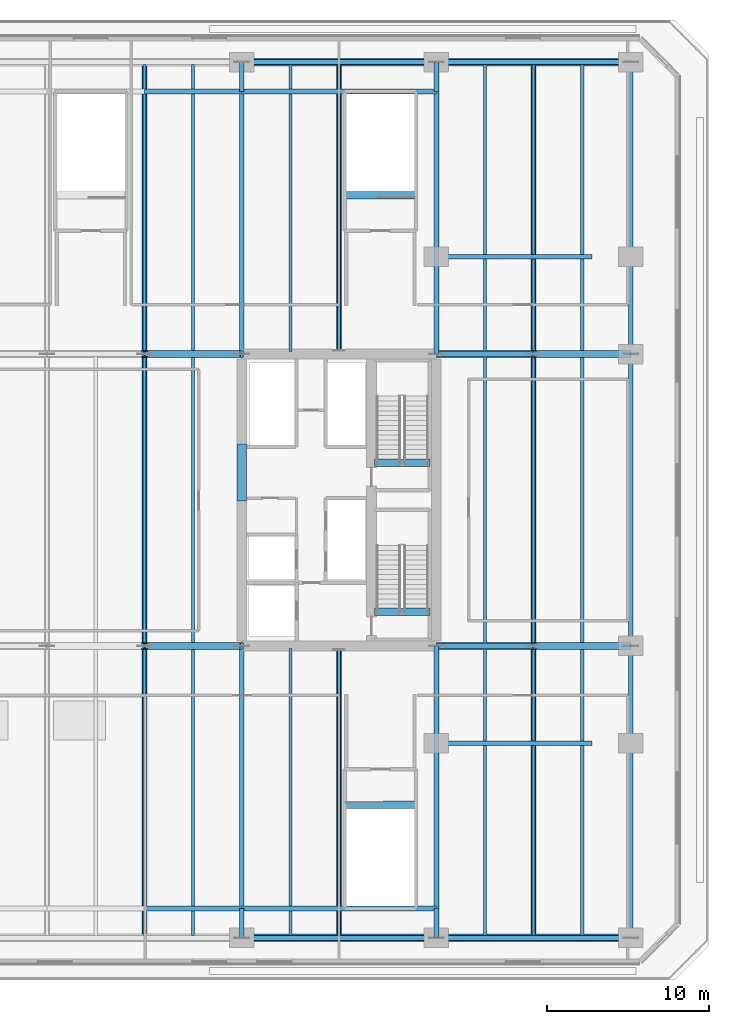
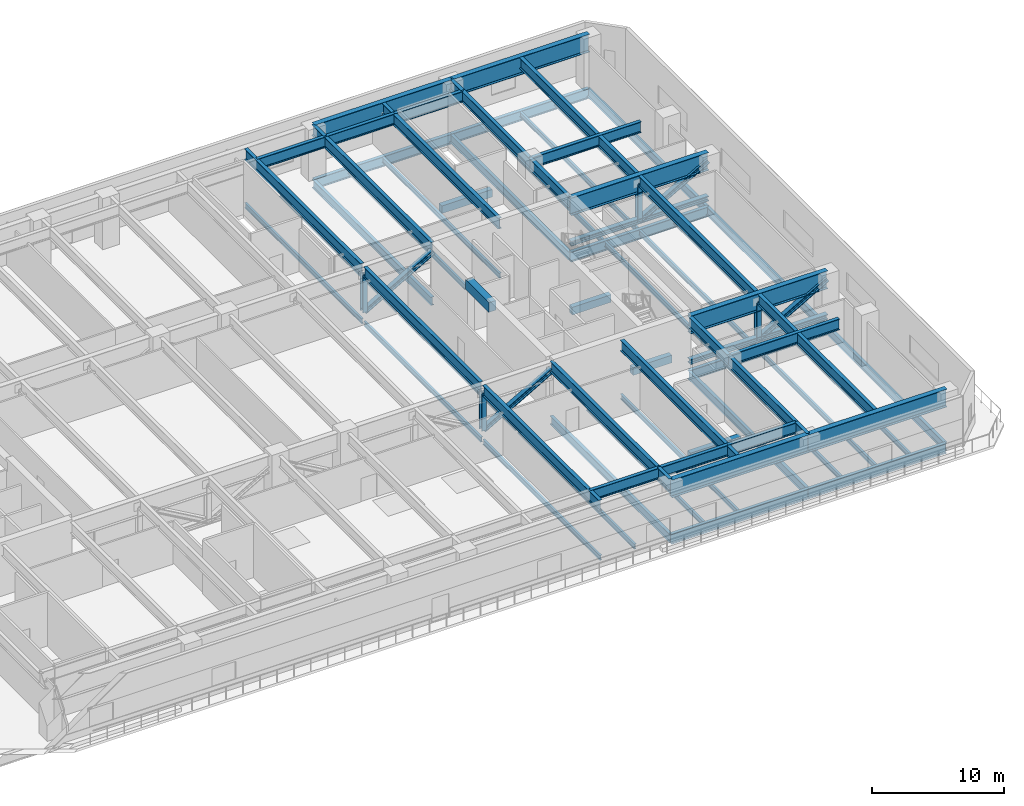
# One storey, part 4 of 25: 69 beams, 10 members.
"""IFC4 building model written with IfcOpenShell, lengths in metres."""

from ifc_helpers import new_model, si_unit, direction, frame, origin, origin_2d, place, context, subcontext, project, spatial, rectangle, i_section, extrude, material, material_profile, profile_set, type_object, element, save


model = new_model("IFC4")

# Units and contexts
model_context = context("Model", 3, precision=1e-05, world=origin(), true_north=direction((0.0, 1.0)))
body_context = subcontext(model_context, "Body", "Model", "MODEL_VIEW")
ifc_project = project(units=[si_unit("LENGTHUNIT", "METRE"), si_unit("AREAUNIT", "SQUARE_METRE"), si_unit("VOLUMEUNIT", "CUBIC_METRE"), si_unit("PLANEANGLEUNIT", "RADIAN"), si_unit("MASSUNIT", "GRAM", prefix="KILO")], contexts=[model_context])

# Site, building, storey
site_placement = place(None, origin())
site = spatial("IfcSite", under=ifc_project, at=site_placement, CompositionType="ELEMENT")
building_placement = place(site_placement, origin())
building = spatial("IfcBuilding", under=site, at=building_placement, Name="Tanjung Sevakor Pilgrim Tower", CompositionType="ELEMENT")
storey_placement = place(building_placement, frame((0.0, 0.0, 24.090087890625)))
storey = spatial("IfcBuildingStorey", under=building, at=storey_placement, Name="L06", CompositionType="ELEMENT", Elevation=24.090087890625)

# Beams
ifc_material_1 = material(Name="Steel S355J2", Category="steel")
ifc_material_profile_1 = material_profile(ifc_material_1, i_section(OverallWidth=0.26806640625, OverallDepth=0.769775390625, WebThickness=0.015625, FlangeThickness=0.025390625, FilletRadius=0.0166015625, at=origin_2d()))
ifc_profile_set_1 = profile_set([ifc_material_profile_1], Name="Steel S355J2")
beam_type_1 = type_object("IfcBeamType", Name="BM-B-G1-UB_762x267x197", PredefinedType="BEAM", material=ifc_profile_set_1)
for number, where, z_axis, x_axis, name in (
    (1, (78.0, 6.60009765625, -0.735107421875), (0.0, 1.0, 0.0), (-1.0, 0.0, 0.0), "L06 Podium Girder NS X78-1"),
    (2, (78.0, 42.60009765625, -0.735107421875), (0.0, 1.0, 0.0), (-1.0, 0.0, 0.0), "L06 Podium Girder NS X78-2"),
    (3, (90.0, 6.60009765625, -0.735107421875), (0.0, 1.0, 0.0), (-1.0, 0.0, 0.0), "L06 Podium Girder NS X90-1"),
    (4, (90.0, 42.60009765625, -0.735107421875), (0.0, 1.0, 0.0), (-1.0, 0.0, 0.0), "L06 Podium Girder NS X90-2"),
    (5, (102.0, 6.60009765625, -0.735107421875), (0.0, 1.0, 0.0), (-1.0, 0.0, 0.0), "L06 Podium Girder NS X102-1"),
    (6, (102.0, 24.60009765625, -0.735107421875), (0.0, 1.0, 0.0), (-1.0, 0.0, 0.0), "L06 Podium Girder NS X102-2"),
    (7, (102.0, 42.60009765625, -0.735107421875), (0.0, 1.0, 0.0), (-1.0, 0.0, 0.0), "L06 Podium Girder NS X102-3"),
):
    element("IfcBeam", number, at=place(storey_placement, frame(where, z_axis=z_axis, x_axis=x_axis)), inside=storey, type_object=beam_type_1, Name=name, PredefinedType="BEAM", context=body_context, shape_type="SweptSolid", body=[
        extrude(i_section(OverallWidth=0.26806640625, OverallDepth=0.769775390625, WebThickness=0.015625, FlangeThickness=0.025390625, FilletRadius=0.0166015625, at=origin_2d()), origin(), (0.0, 0.0, 1.0), 18.0),
    ])
ifc_material_2 = material(Name="Steel S460M", Category="steel")
ifc_material_profile_2 = material_profile(ifc_material_2, i_section(OverallWidth=0.302001953125, OverallDepth=1.008056640625, WebThickness=0.02099609375, FlangeThickness=0.0400390625, FilletRadius=0.030029296875, at=origin_2d()))
ifc_profile_set_2 = profile_set([ifc_material_profile_2], Name="Steel S460M")
beam_type_2 = type_object("IfcBeamType", Name="BM-B-G7-HE_1000M", PredefinedType="BEAM", material=ifc_profile_set_2)
for number, where, z_axis, x_axis, name in (
    (8, (72.0, 6.824951171875, 4.205810546875), (0.0, 1.0, 0.0), (-1.0, 0.0, 0.0), "TC-2 L06 Transfer Truss Chord NS X72.0-1"),
    (9, (72.0, 24.824951171875, 4.205810546875), (0.0, 1.0, 0.0), (-1.0, 0.0, 0.0), "TC-2 L06 Transfer Truss Chord NS X72.0-2"),
    (10, (72.0, 42.824951171875, 4.205810546875), (0.0, 1.0, 0.0), (-1.0, 0.0, 0.0), "TC-2 L06 Transfer Truss Chord NS X72.0-3"),
):
    element("IfcBeam", number, at=place(storey_placement, frame(where, z_axis=z_axis, x_axis=x_axis)), inside=storey, type_object=beam_type_2, Name=name, PredefinedType="BEAM", context=body_context, shape_type="SweptSolid", body=[
        extrude(i_section(OverallWidth=0.302001953125, OverallDepth=1.008056640625, WebThickness=0.02099609375, FlangeThickness=0.0400390625, FilletRadius=0.030029296875, at=origin_2d()), origin(), (0.0, 0.0, 1.0), 17.550048828125),
    ])
beam_1_placement = place(storey_placement, frame((78.0, 6.60009765625, 4.205810546875), z_axis=(0.0, 1.0, 0.0), x_axis=(-1.0, 0.0, 0.0)))
element("IfcBeam", 11, at=beam_1_placement, inside=storey, type_object=beam_type_2, Name="TC-2 L06 Transfer Truss Chord NS X78.0-1", PredefinedType="BEAM", context=body_context, shape_type="SweptSolid", body=[
    extrude(i_section(OverallWidth=0.302001953125, OverallDepth=1.008056640625, WebThickness=0.02099609375, FlangeThickness=0.0400390625, FilletRadius=0.030029296875, at=origin_2d()), origin(), (0.0, 0.0, 1.0), 1.7998046875),
])
beam_2_placement = place(storey_placement, frame((78.0, 8.39990234375, 4.205810546875), z_axis=(0.0, 1.0, 0.0), x_axis=(-1.0, 0.0, 0.0)))
element("IfcBeam", 12, at=beam_2_placement, inside=storey, type_object=beam_type_2, Name="TC-2 L06 Transfer Truss Chord NS X78.0-2", PredefinedType="BEAM", context=body_context, shape_type="SweptSolid", body=[
    extrude(i_section(OverallWidth=0.302001953125, OverallDepth=1.008056640625, WebThickness=0.02099609375, FlangeThickness=0.0400390625, FilletRadius=0.030029296875, at=origin_2d()), origin(), (0.0, 0.0, 1.0), 16.2001953125),
])
beam_3_placement = place(storey_placement, frame((78.0, 42.60009765625, 4.205810546875), z_axis=(0.0, 1.0, 0.0), x_axis=(-1.0, 0.0, 0.0)))
element("IfcBeam", 13, at=beam_3_placement, inside=storey, type_object=beam_type_2, Name="TC-2 L06 Transfer Truss Chord NS X78.0-3", PredefinedType="BEAM", context=body_context, shape_type="SweptSolid", body=[
    extrude(i_section(OverallWidth=0.302001953125, OverallDepth=1.008056640625, WebThickness=0.02099609375, FlangeThickness=0.0400390625, FilletRadius=0.030029296875, at=origin_2d()), origin(), (0.0, 0.0, 1.0), 16.199951171875),
])
beam_4_placement = place(storey_placement, frame((78.0, 58.800048828125, 4.205810546875), z_axis=(0.0, 1.0, 0.0), x_axis=(-1.0, 0.0, 0.0)))
element("IfcBeam", 14, at=beam_4_placement, inside=storey, type_object=beam_type_2, Name="TC-2 L06 Transfer Truss Chord NS X78.0-4", PredefinedType="BEAM", context=body_context, shape_type="SweptSolid", body=[
    extrude(i_section(OverallWidth=0.302001953125, OverallDepth=1.008056640625, WebThickness=0.02099609375, FlangeThickness=0.0400390625, FilletRadius=0.030029296875, at=origin_2d()), origin(), (0.0, 0.0, 1.0), 1.800048828125),
])
for number, where, z_axis, x_axis, name in (
    (15, (84.0, 6.824951171875, 4.205810546875), (0.0, 1.0, 0.0), (-1.0, 0.0, 0.0), "TC-2 L06 Transfer Truss Chord NS X84.0-1"),
    (16, (84.0, 42.824951171875, 4.205810546875), (0.0, 1.0, 0.0), (-1.0, 0.0, 0.0), "TC-2 L06 Transfer Truss Chord NS X84.0-2"),
):
    element("IfcBeam", number, at=place(storey_placement, frame(where, z_axis=z_axis, x_axis=x_axis)), inside=storey, type_object=beam_type_2, Name=name, PredefinedType="BEAM", context=body_context, shape_type="SweptSolid", body=[
        extrude(i_section(OverallWidth=0.302001953125, OverallDepth=1.008056640625, WebThickness=0.02099609375, FlangeThickness=0.0400390625, FilletRadius=0.030029296875, at=origin_2d()), origin(), (0.0, 0.0, 1.0), 17.550048828125),
    ])
beam_5_placement = place(storey_placement, frame((90.0, 6.60009765625, 4.205810546875), z_axis=(0.0, 1.0, 0.0), x_axis=(-1.0, 0.0, 0.0)))
element("IfcBeam", 17, at=beam_5_placement, inside=storey, type_object=beam_type_2, Name="TC-2 L06 Transfer Truss Chord NS X90.0-1", PredefinedType="BEAM", context=body_context, shape_type="SweptSolid", body=[
    extrude(i_section(OverallWidth=0.302001953125, OverallDepth=1.008056640625, WebThickness=0.02099609375, FlangeThickness=0.0400390625, FilletRadius=0.030029296875, at=origin_2d()), origin(), (0.0, 0.0, 1.0), 1.7998046875),
])
beam_6_placement = place(storey_placement, frame((90.0, 8.39990234375, 4.205810546875), z_axis=(0.0, 1.0, 0.0), x_axis=(-1.0, 0.0, 0.0)))
element("IfcBeam", 18, at=beam_6_placement, inside=storey, type_object=beam_type_2, Name="TC-2 L06 Transfer Truss Chord NS X90.0-2", PredefinedType="BEAM", context=body_context, shape_type="SweptSolid", body=[
    extrude(i_section(OverallWidth=0.302001953125, OverallDepth=1.008056640625, WebThickness=0.02099609375, FlangeThickness=0.0400390625, FilletRadius=0.030029296875, at=origin_2d()), origin(), (0.0, 0.0, 1.0), 10.2001953125),
])
for number, where, z_axis, x_axis, name in (
    (19, (90.0, 18.60009765625, 4.205810546875), (0.0, 1.0, 0.0), (-1.0, 0.0, 0.0), "TC-2 L06 Transfer Truss Chord NS X90.0-3"),
    (20, (90.0, 42.60009765625, 4.205810546875), (0.0, 1.0, 0.0), (-1.0, 0.0, 0.0), "TC-2 L06 Transfer Truss Chord NS X90.0-4"),
):
    element("IfcBeam", number, at=place(storey_placement, frame(where, z_axis=z_axis, x_axis=x_axis)), inside=storey, type_object=beam_type_2, Name=name, PredefinedType="BEAM", context=body_context, shape_type="SweptSolid", body=[
        extrude(i_section(OverallWidth=0.302001953125, OverallDepth=1.008056640625, WebThickness=0.02099609375, FlangeThickness=0.0400390625, FilletRadius=0.030029296875, at=origin_2d()), origin(), (0.0, 0.0, 1.0), 6.0),
    ])
beam_7_placement = place(storey_placement, frame((90.0, 48.60009765625, 4.205810546875), z_axis=(0.0, 1.0, 0.0), x_axis=(-1.0, 0.0, 0.0)))
element("IfcBeam", 21, at=beam_7_placement, inside=storey, type_object=beam_type_2, Name="TC-2 L06 Transfer Truss Chord NS X90.0-5", PredefinedType="BEAM", context=body_context, shape_type="SweptSolid", body=[
    extrude(i_section(OverallWidth=0.302001953125, OverallDepth=1.008056640625, WebThickness=0.02099609375, FlangeThickness=0.0400390625, FilletRadius=0.030029296875, at=origin_2d()), origin(), (0.0, 0.0, 1.0), 10.199951171875),
])
beam_8_placement = place(storey_placement, frame((90.0, 58.800048828125, 4.205810546875), z_axis=(0.0, 1.0, 0.0), x_axis=(-1.0, 0.0, 0.0)))
element("IfcBeam", 22, at=beam_8_placement, inside=storey, type_object=beam_type_2, Name="TC-2 L06 Transfer Truss Chord NS X90.0-6", PredefinedType="BEAM", context=body_context, shape_type="SweptSolid", body=[
    extrude(i_section(OverallWidth=0.302001953125, OverallDepth=1.008056640625, WebThickness=0.02099609375, FlangeThickness=0.0400390625, FilletRadius=0.030029296875, at=origin_2d()), origin(), (0.0, 0.0, 1.0), 1.800048828125),
])
for number, where, z_axis, x_axis, name in (
    (23, (96.0, 6.824951171875, 4.205810546875), (0.0, 1.0, 0.0), (-1.0, 0.0, 0.0), "TC-2 L06 Transfer Truss Chord NS X96.0-1"),
    (24, (96.0, 24.824951171875, 4.205810546875), (0.0, 1.0, 0.0), (-1.0, 0.0, 0.0), "TC-2 L06 Transfer Truss Chord NS X96.0-2"),
    (25, (96.0, 42.824951171875, 4.205810546875), (0.0, 1.0, 0.0), (-1.0, 0.0, 0.0), "TC-2 L06 Transfer Truss Chord NS X96.0-3"),
):
    element("IfcBeam", number, at=place(storey_placement, frame(where, z_axis=z_axis, x_axis=x_axis)), inside=storey, type_object=beam_type_2, Name=name, PredefinedType="BEAM", context=body_context, shape_type="SweptSolid", body=[
        extrude(i_section(OverallWidth=0.302001953125, OverallDepth=1.008056640625, WebThickness=0.02099609375, FlangeThickness=0.0400390625, FilletRadius=0.030029296875, at=origin_2d()), origin(), (0.0, 0.0, 1.0), 17.550048828125),
    ])
for number, where, z_axis, x_axis, name in (
    (26, (90.0, 18.60009765625, 4.205810546875), (1.0, 0.0, 0.0), (0.0, 1.0, 0.0), "TC-1 L06 Short-End Transfer Girder Y18.6-2"),
    (27, (90.0, 48.60009765625, 4.205810546875), (1.0, 0.0, 0.0), (0.0, 1.0, 0.0), "TC-1 L06 Short-End Transfer Girder Y48.6-2"),
):
    element("IfcBeam", number, at=place(storey_placement, frame(where, z_axis=z_axis, x_axis=x_axis)), inside=storey, type_object=beam_type_2, Name=name, PredefinedType="BEAM", context=body_context, shape_type="SweptSolid", body=[
        extrude(i_section(OverallWidth=0.302001953125, OverallDepth=1.008056640625, WebThickness=0.02099609375, FlangeThickness=0.0400390625, FilletRadius=0.030029296875, at=origin_2d()), origin(), (0.0, 0.0, 1.0), 9.60009765625),
    ])
for number, where, z_axis, x_axis, name in (
    (28, (72.0, 8.39990234375, 4.205810546875), (1.0, 0.0, 0.0), (0.0, 1.0, 0.0), "TC-3 L06 Transfer Truss Ring Chord Y8.4-08"),
    (29, (78.0, 8.39990234375, 4.205810546875), (1.0, 0.0, 0.0), (0.0, 1.0, 0.0), "TC-3 L06 Transfer Truss Ring Chord Y8.4-09"),
    (30, (84.0, 8.39990234375, 4.205810546875), (1.0, 0.0, 0.0), (0.0, 1.0, 0.0), "TC-3 L06 Transfer Truss Ring Chord Y8.4-10"),
    (31, (72.0, 58.800048828125, 4.205810546875), (1.0, 0.0, 0.0), (0.0, 1.0, 0.0), "TC-3 L06 Transfer Truss Ring Chord Y58.8-08"),
    (32, (78.0, 58.800048828125, 4.205810546875), (1.0, 0.0, 0.0), (0.0, 1.0, 0.0), "TC-3 L06 Transfer Truss Ring Chord Y58.8-09"),
    (33, (84.0, 58.800048828125, 4.205810546875), (1.0, 0.0, 0.0), (0.0, 1.0, 0.0), "TC-3 L06 Transfer Truss Ring Chord Y58.8-10"),
):
    element("IfcBeam", number, at=place(storey_placement, frame(where, z_axis=z_axis, x_axis=x_axis)), inside=storey, type_object=beam_type_2, Name=name, PredefinedType="BEAM", context=body_context, shape_type="SweptSolid", body=[
        extrude(i_section(OverallWidth=0.302001953125, OverallDepth=1.008056640625, WebThickness=0.02099609375, FlangeThickness=0.0400390625, FilletRadius=0.030029296875, at=origin_2d()), origin(), (0.0, 0.0, 1.0), 6.0),
    ])
ifc_material_3 = material(Name="Steel S355J2", Category="steel")
ifc_material_profile_3 = material_profile(ifc_material_3, i_section(OverallWidth=0.19140625, OverallDepth=0.4599609375, WebThickness=0.010009765625, FlangeThickness=0.01611328125, FilletRadius=0.01025390625, at=origin_2d()))
ifc_profile_set_3 = profile_set([ifc_material_profile_3], Name="Steel S355J2")
beam_type_3 = type_object("IfcBeamType", Name="BM-B-J2-UB_457x191x82", PredefinedType="JOIST", material=ifc_profile_set_3)
for number, where, z_axis, x_axis, name in (
    (34, (72.0, 6.752685546875, -0.580078125), (0.0, 1.0, 0.0), (-1.0, 0.0, 0.0), "L06 Secondary Joist 039"),
    (35, (72.0, 24.752685546875, -0.580078125), (0.0, 1.0, 0.0), (-1.0, 0.0, 0.0), "L06 Secondary Joist 040"),
    (36, (72.0, 42.752685546875, -0.580078125), (0.0, 1.0, 0.0), (-1.0, 0.0, 0.0), "L06 Secondary Joist 041"),
    (37, (75.0, 6.752685546875, -0.580078125), (0.0, 1.0, 0.0), (-1.0, 0.0, 0.0), "L06 Secondary Joist 042"),
    (38, (75.0, 24.752685546875, -0.580078125), (0.0, 1.0, 0.0), (-1.0, 0.0, 0.0), "L06 Secondary Joist 043"),
    (39, (75.0, 42.752685546875, -0.580078125), (0.0, 1.0, 0.0), (-1.0, 0.0, 0.0), "L06 Secondary Joist 044"),
    (40, (81.0, 6.752685546875, -0.580078125), (0.0, 1.0, 0.0), (-1.0, 0.0, 0.0), "L06 Secondary Joist 045"),
    (41, (81.0, 42.752685546875, -0.580078125), (0.0, 1.0, 0.0), (-1.0, 0.0, 0.0), "L06 Secondary Joist 046"),
    (42, (84.0, 6.752685546875, -0.580078125), (0.0, 1.0, 0.0), (-1.0, 0.0, 0.0), "L06 Secondary Joist 047"),
    (43, (84.0, 42.752685546875, -0.580078125), (0.0, 1.0, 0.0), (-1.0, 0.0, 0.0), "L06 Secondary Joist 048"),
    (44, (93.0, 6.752685546875, -0.580078125), (0.0, 1.0, 0.0), (-1.0, 0.0, 0.0), "L06 Secondary Joist 049"),
    (45, (93.0, 24.752685546875, -0.580078125), (0.0, 1.0, 0.0), (-1.0, 0.0, 0.0), "L06 Secondary Joist 050"),
    (46, (93.0, 42.752685546875, -0.580078125), (0.0, 1.0, 0.0), (-1.0, 0.0, 0.0), "L06 Secondary Joist 051"),
    (47, (96.0, 6.752685546875, -0.580078125), (0.0, 1.0, 0.0), (-1.0, 0.0, 0.0), "L06 Secondary Joist 052"),
    (48, (96.0, 24.752685546875, -0.580078125), (0.0, 1.0, 0.0), (-1.0, 0.0, 0.0), "L06 Secondary Joist 053"),
    (49, (96.0, 42.752685546875, -0.580078125), (0.0, 1.0, 0.0), (-1.0, 0.0, 0.0), "L06 Secondary Joist 054"),
    (50, (99.0, 6.752685546875, -0.580078125), (0.0, 1.0, 0.0), (-1.0, 0.0, 0.0), "L06 Secondary Joist 055"),
    (51, (99.0, 24.752685546875, -0.580078125), (0.0, 1.0, 0.0), (-1.0, 0.0, 0.0), "L06 Secondary Joist 056"),
    (52, (99.0, 42.752685546875, -0.580078125), (0.0, 1.0, 0.0), (-1.0, 0.0, 0.0), "L06 Secondary Joist 057"),
):
    element("IfcBeam", number, at=place(storey_placement, frame(where, z_axis=z_axis, x_axis=x_axis)), inside=storey, type_object=beam_type_3, Name=name, PredefinedType="JOIST", context=body_context, shape_type="SweptSolid", body=[
        extrude(i_section(OverallWidth=0.19140625, OverallDepth=0.4599609375, WebThickness=0.010009765625, FlangeThickness=0.01611328125, FilletRadius=0.01025390625, at=origin_2d()), origin(), (0.0, 0.0, 1.0), 17.694580078125),
    ])
ifc_material_4 = material(Name="Concrete C60/75", Category="concrete")
ifc_material_profile_4 = material_profile(ifc_material_4, rectangle(XDim=0.60009765625, YDim=0.89990234375, at=origin_2d()))
ifc_profile_set_4 = profile_set([ifc_material_profile_4], Name="Concrete C60/75")
beam_type_4 = type_object("IfcBeamType", Name="BM-B-LN1-RC-BM_600x900", PredefinedType="LINTEL", material=ifc_profile_set_4)
beam_9_placement = place(storey_placement, frame((78.0, 33.550048828125, 4.260009765625), z_axis=(0.0, 1.0, 0.0), x_axis=(-1.0, 0.0, 0.0)))
element("IfcBeam", 53, at=beam_9_placement, inside=storey, type_object=beam_type_4, Name="L06 E Core Coupling Lintel", PredefinedType="LINTEL", context=body_context, shape_type="SweptSolid", body=[
    extrude(rectangle(XDim=0.60009765625, YDim=0.89990234375, at=origin_2d()), origin(), (0.0, 0.0, 1.0), 3.5),
])
ifc_material_5 = material(Name="Concrete C60/75", Category="concrete")
ifc_material_profile_5 = material_profile(ifc_material_5, rectangle(XDim=0.449951171875, YDim=0.699951171875, at=origin_2d()))
ifc_profile_set_5 = profile_set([ifc_material_profile_5], Name="Concrete C60/75")
beam_type_5 = type_object("IfcBeamType", Name="BM-B-LN3-RC-BM_450x700", PredefinedType="LINTEL", material=ifc_profile_set_5)
for number, where, z_axis, x_axis, name in (
    (54, (86.199951171875, 26.699951171875, -0.35009765625), (1.0, 0.0, 0.0), (0.0, 1.0, 0.0), "L06 TS-E1 Stair Threshold Beam"),
    (55, (86.199951171875, 35.89990234375, -0.35009765625), (1.0, 0.0, 0.0), (0.0, 1.0, 0.0), "L06 TS-E2 Stair Threshold Beam"),
):
    element("IfcBeam", number, at=place(storey_placement, frame(where, z_axis=z_axis, x_axis=x_axis)), inside=storey, type_object=beam_type_5, Name=name, PredefinedType="LINTEL", context=body_context, shape_type="SweptSolid", body=[
        extrude(rectangle(XDim=0.449951171875, YDim=0.699951171875, at=origin_2d()), origin(), (0.0, 0.0, 1.0), 3.400146484375),
    ])
for number, where, z_axis, x_axis, name in (
    (56, (84.35009765625, 14.800048828125, -0.35009765625), (1.0, 0.0, 0.0), (0.0, 1.0, 0.0), "L06 PS-5 Stair Threshold Beam"),
    (57, (84.35009765625, 52.39990234375, -0.35009765625), (1.0, 0.0, 0.0), (0.0, 1.0, 0.0), "L06 PS-6 Stair Threshold Beam"),
):
    element("IfcBeam", number, at=place(storey_placement, frame(where, z_axis=z_axis, x_axis=x_axis)), inside=storey, type_object=beam_type_5, Name=name, PredefinedType="LINTEL", context=body_context, shape_type="SweptSolid", body=[
        extrude(rectangle(XDim=0.449951171875, YDim=0.699951171875, at=origin_2d()), origin(), (0.0, 0.0, 1.0), 4.39990234375),
    ])
ifc_material_6 = material(Name="Steel S355J2", Category="steel")
ifc_material_profile_6 = material_profile(ifc_material_6, i_section(OverallWidth=0.305419921875, OverallDepth=0.91845703125, WebThickness=0.017333984375, FlangeThickness=0.02783203125, FilletRadius=0.01904296875, at=origin_2d()))
ifc_profile_set_6 = profile_set([ifc_material_profile_6], Name="Steel S355J2")
beam_type_6 = type_object("IfcBeamType", Name="BM-B-POD2-UB_914x305x253", PredefinedType="BEAM", material=ifc_profile_set_6)
for number, where, z_axis, x_axis, name in (
    (58, (78.0, 6.60009765625, -0.809326171875), (1.0, 0.0, 0.0), (0.0, 1.0, 0.0), "L06 Podium Girder EW Y6.6-6"),
    (59, (90.0, 6.60009765625, -0.809326171875), (1.0, 0.0, 0.0), (0.0, 1.0, 0.0), "L06 Podium Girder EW Y6.6-7"),
    (60, (90.0, 24.60009765625, -0.809326171875), (1.0, 0.0, 0.0), (0.0, 1.0, 0.0), "L06 Podium Girder EW Y24.6-5"),
    (61, (90.0, 42.60009765625, -0.809326171875), (1.0, 0.0, 0.0), (0.0, 1.0, 0.0), "L06 Podium Girder EW Y42.6-5"),
    (62, (78.0, 60.60009765625, -0.809326171875), (1.0, 0.0, 0.0), (0.0, 1.0, 0.0), "L06 Podium Girder EW Y60.6-6"),
    (63, (90.0, 60.60009765625, -0.809326171875), (1.0, 0.0, 0.0), (0.0, 1.0, 0.0), "L06 Podium Girder EW Y60.6-7"),
):
    element("IfcBeam", number, at=place(storey_placement, frame(where, z_axis=z_axis, x_axis=x_axis)), inside=storey, type_object=beam_type_6, Name=name, PredefinedType="BEAM", context=body_context, shape_type="SweptSolid", body=[
        extrude(i_section(OverallWidth=0.305419921875, OverallDepth=0.91845703125, WebThickness=0.017333984375, FlangeThickness=0.02783203125, FilletRadius=0.01904296875, at=origin_2d()), origin(), (0.0, 0.0, 1.0), 12.0),
    ])
ifc_material_7 = material(Name="Steel S460M", Category="steel")
ifc_material_profile_7 = material_profile(ifc_material_7, i_section(OverallWidth=0.449951171875, OverallDepth=1.64990234375, WebThickness=0.02392578125, FlangeThickness=0.0400390625, FilletRadius=0.02392578125, at=origin_2d()))
ifc_profile_set_7 = profile_set([ifc_material_profile_7], Name="Steel S460M")
beam_type_7 = type_object("IfcBeamType", Name="BM-B-TC1-PG_1650x450x40", PredefinedType="USERDEFINED", material=ifc_profile_set_7)
for number, where, z_axis, x_axis, name in (
    (64, (78.0, 6.60009765625, 3.885009765625), (1.0, 0.0, 0.0), (0.0, 1.0, 0.0), "TC-1 L06 Transfer Truss Top Chord Y6.6 S6"),
    (65, (90.0, 6.60009765625, 3.885009765625), (1.0, 0.0, 0.0), (0.0, 1.0, 0.0), "TC-1 L06 Transfer Truss Top Chord Y6.6 S7"),
    (66, (90.0, 24.60009765625, 3.885009765625), (1.0, 0.0, 0.0), (0.0, 1.0, 0.0), "TC-1 L06 Transfer Truss Top Chord Y24.6 S5"),
    (67, (90.0, 42.60009765625, 3.885009765625), (1.0, 0.0, 0.0), (0.0, 1.0, 0.0), "TC-1 L06 Transfer Truss Top Chord Y42.6 S5"),
    (68, (78.0, 60.60009765625, 3.885009765625), (1.0, 0.0, 0.0), (0.0, 1.0, 0.0), "TC-1 L06 Transfer Truss Top Chord Y60.6 S6"),
    (69, (90.0, 60.60009765625, 3.885009765625), (1.0, 0.0, 0.0), (0.0, 1.0, 0.0), "TC-1 L06 Transfer Truss Top Chord Y60.6 S7"),
):
    element("IfcBeam", number, at=place(storey_placement, frame(where, z_axis=z_axis, x_axis=x_axis)), inside=storey, type_object=beam_type_7, Name=name, ObjectType="TRANSFER CHORD", PredefinedType="USERDEFINED", context=body_context, shape_type="SweptSolid", body=[
        extrude(i_section(OverallWidth=0.449951171875, OverallDepth=1.64990234375, WebThickness=0.02392578125, FlangeThickness=0.0400390625, FilletRadius=0.02392578125, at=origin_2d()), origin(), (0.0, 0.0, 1.0), 12.0),
    ])

# Members
ifc_material_8 = material(Name="Steel S460M", Category="steel")
ifc_material_profile_8 = material_profile(ifc_material_8, i_section(OverallWidth=0.412109375, OverallDepth=0.43505859375, WebThickness=0.035888671875, FlangeThickness=0.054931640625, FilletRadius=0.014892578125, at=origin_2d()))
ifc_profile_set_8 = profile_set([ifc_material_profile_8], Name="Steel S460M")
member_type_1 = type_object("IfcMemberType", Name="MEM-M-BR1-HD_400x463", PredefinedType="BRACE", material=ifc_profile_set_8)
for number, where, z_axis, x_axis, name in (
    (70, (72.0, 24.60009765625, 0.449951171875), (0.867838662316, 0.0, 0.496846109163), (0.0, 1.0, 0.0), "TD-1 L06 Transfer Truss Diagonal Brace Y24.6 P9"),
    (71, (96.0, 24.60009765625, 0.449951171875), (0.867838662316, 0.0, 0.496846109163), (0.0, 1.0, 0.0), "TD-1 L06 Transfer Truss Diagonal Brace Y24.6 P11"),
    (72, (72.0, 42.60009765625, 0.449951171875), (0.867838662316, 0.0, 0.496846109163), (0.0, 1.0, 0.0), "TD-1 L06 Transfer Truss Diagonal Brace Y42.6 P9"),
    (73, (96.0, 42.60009765625, 0.449951171875), (0.867838662316, 0.0, 0.496846109163), (0.0, 1.0, 0.0), "TD-1 L06 Transfer Truss Diagonal Brace Y42.6 P11"),
):
    element("IfcMember", number, at=place(storey_placement, frame(where, z_axis=z_axis, x_axis=x_axis)), inside=storey, type_object=member_type_1, Name=name, PredefinedType="BRACE", context=body_context, shape_type="SweptSolid", body=[
        extrude(i_section(OverallWidth=0.412109375, OverallDepth=0.43505859375, WebThickness=0.035888671875, FlangeThickness=0.054931640625, FilletRadius=0.014892578125, at=origin_2d()), origin(), (0.0, 0.0, 1.0), 6.913818359375),
    ])
ifc_material_9 = material(Name="Steel S460M", Category="steel")
ifc_material_profile_9 = material_profile(ifc_material_9, i_section(OverallWidth=0.4208984375, OverallDepth=0.465087890625, WebThickness=0.044921875, FlangeThickness=0.070068359375, FilletRadius=0.014892578125, at=origin_2d()))
ifc_profile_set_9 = profile_set([ifc_material_profile_9], Name="Steel S460M")
member_type_2 = type_object("IfcMemberType", Name="MEM-M-CH1-HD_400x592", PredefinedType="CHORD", material=ifc_profile_set_9)
for number, where, z_axis, x_axis, name in (
    (74, (90.0, 24.60009765625, 0.449951171875), (1.0, 0.0, 0.0), (0.0, 1.0, 0.0), "BC-1 L06 Transfer Truss Bottom Chord Y24.6 S5"),
    (75, (90.0, 42.60009765625, 0.449951171875), (1.0, 0.0, 0.0), (0.0, 1.0, 0.0), "BC-1 L06 Transfer Truss Bottom Chord Y42.6 S5"),
):
    element("IfcMember", number, at=place(storey_placement, frame(where, z_axis=z_axis, x_axis=x_axis)), inside=storey, type_object=member_type_2, Name=name, PredefinedType="CHORD", context=body_context, shape_type="SweptSolid", body=[
        extrude(i_section(OverallWidth=0.4208984375, OverallDepth=0.465087890625, WebThickness=0.044921875, FlangeThickness=0.070068359375, FilletRadius=0.014892578125, at=origin_2d()), origin(), (0.0, 0.0, 1.0), 12.0),
    ])
ifc_material_10 = material(Name="Steel S460M", Category="steel")
ifc_material_profile_10 = material_profile(ifc_material_10, i_section(OverallWidth=0.406982421875, OverallDepth=0.4189453125, WebThickness=0.030517578125, FlangeThickness=0.04931640625, FilletRadius=0.01513671875, at=origin_2d()))
ifc_profile_set_10 = profile_set([ifc_material_profile_10], Name="Steel S460M")
member_type_3 = type_object("IfcMemberType", Name="MEM-M-ST1-UC_356x406x393", PredefinedType="STRUT", material=ifc_profile_set_10)
for number, where, z_axis, x_axis, name in (
    (76, (72.0, 24.60009765625, 0.449951171875), (0.0, 0.0, 1.0), (1.0, 0.0, 0.0), "TV-1 L06 Transfer Truss Vertical Strut X72 Y24.6"),
    (77, (96.0, 24.60009765625, 0.449951171875), (0.0, 0.0, 1.0), (1.0, 0.0, 0.0), "TV-1 L06 Transfer Truss Vertical Strut X96 Y24.6"),
    (78, (72.0, 42.60009765625, 0.449951171875), (0.0, 0.0, 1.0), (1.0, 0.0, 0.0), "TV-1 L06 Transfer Truss Vertical Strut X72 Y42.6"),
    (79, (96.0, 42.60009765625, 0.449951171875), (0.0, 0.0, 1.0), (1.0, 0.0, 0.0), "TV-1 L06 Transfer Truss Vertical Strut X96 Y42.6"),
):
    element("IfcMember", number, at=place(storey_placement, frame(where, z_axis=z_axis, x_axis=x_axis)), inside=storey, type_object=member_type_3, Name=name, PredefinedType="STRUT", context=body_context, shape_type="SweptSolid", body=[
        extrude(i_section(OverallWidth=0.406982421875, OverallDepth=0.4189453125, WebThickness=0.030517578125, FlangeThickness=0.04931640625, FilletRadius=0.01513671875, at=origin_2d()), origin(), (0.0, 0.0, 1.0), 3.43505859375),
    ])

save(model, "model.ifc")
